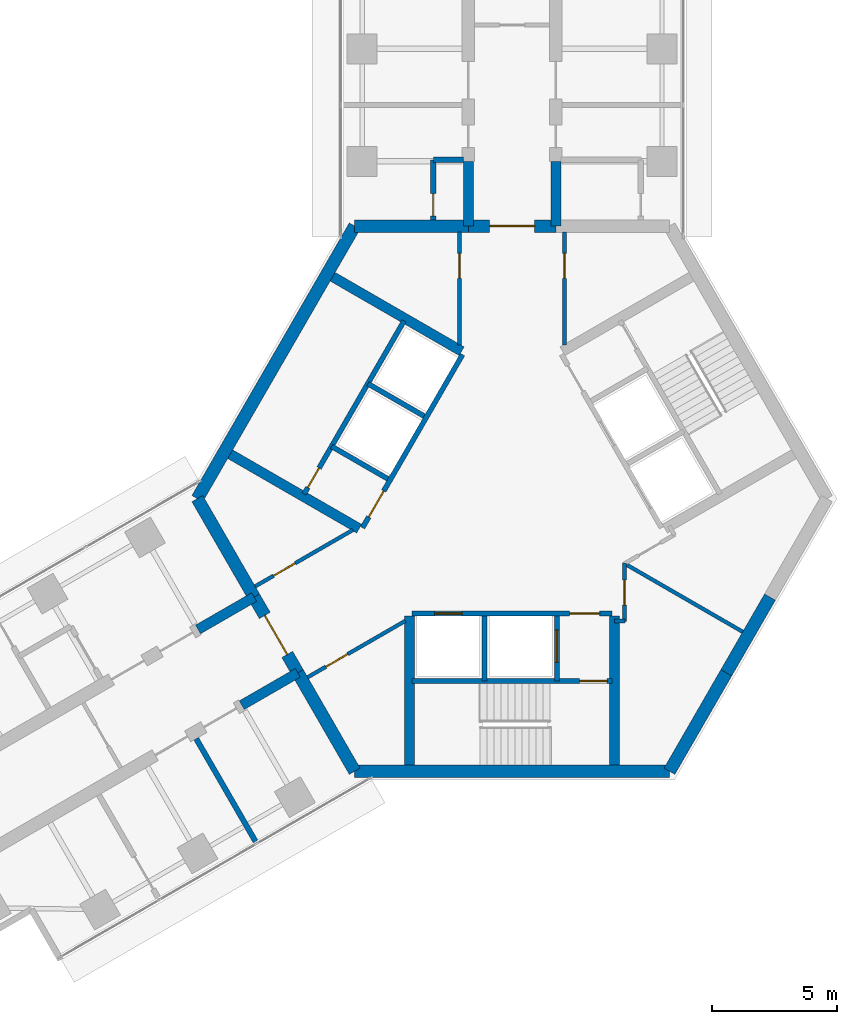
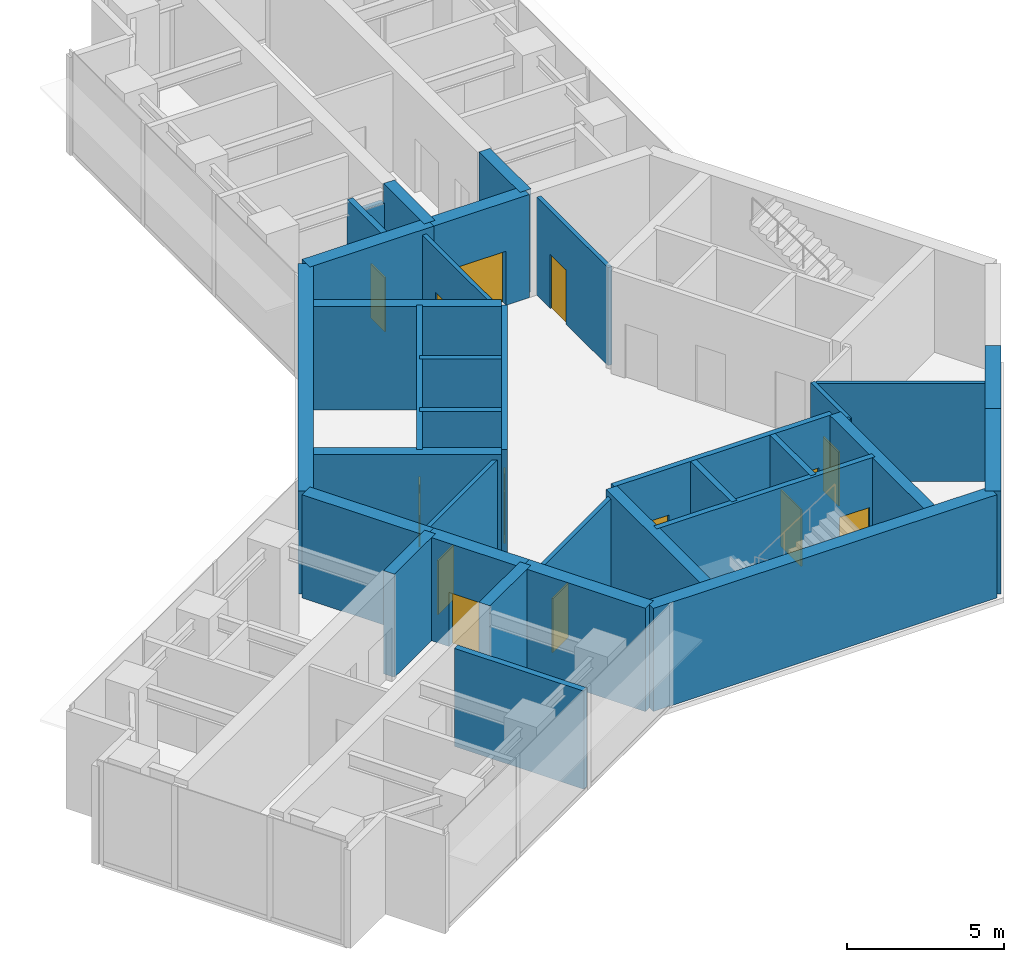
# One storey, part 14 of 17: 35 walls, 14 doors, 14 openings.
"""IFC4 building model written with IfcOpenShell, lengths in metres."""

from ifc_helpers import new_model, si_unit, direction, frame, frame_2d, origin, place, context, subcontext, project, spatial, rectangle, extrude, material, layer, layer_set, type_object, element, fill, save


model = new_model("IFC4")

# Units and contexts
model_context = context("Model", 3, precision=1e-05, world=origin(), true_north=direction((0.0, 1.0)))
body_context = subcontext(model_context, "Body", "Model", "MODEL_VIEW")
ifc_project = project(units=[si_unit("LENGTHUNIT", "METRE"), si_unit("AREAUNIT", "SQUARE_METRE"), si_unit("VOLUMEUNIT", "CUBIC_METRE"), si_unit("PLANEANGLEUNIT", "RADIAN"), si_unit("MASSUNIT", "GRAM", prefix="KILO")], contexts=[model_context])

# Site, building, storey
site_placement = place(None, origin())
site = spatial("IfcSite", under=ifc_project, at=site_placement, CompositionType="ELEMENT")
building_placement = place(site_placement, origin())
building = spatial("IfcBuilding", under=site, at=building_placement, Name="Upepo Twin Towers", CompositionType="ELEMENT")
storey_placement = place(building_placement, frame((0.0, 0.0, 190.5)))
storey = spatial("IfcBuildingStorey", under=building, at=storey_placement, Name="L46", CompositionType="ELEMENT", Elevation=190.5)

# Wall, opening, door
ifc_material_1 = material(Name="Concrete blockwork, plastered both faces", Category="masonry")
ifc_layer_1 = layer(ifc_material_1, 0.215087890625)
ifc_layer_set_1 = layer_set([ifc_layer_1], Name="Blockwork partition 215")
wall_type_1 = type_object("IfcWallType", Name="Blockwork partition 215", PredefinedType="PARTITIONING", material=ifc_layer_set_1)
wall_1_placement = place(storey_placement, frame((55.35009765625, -6.842041015625, 0.0), z_axis=(0.0, 0.0, 1.0), x_axis=(0.0, 1.0, 0.0)))
wall_1 = element("IfcWall", 1, at=wall_1_placement, inside=storey, type_object=wall_type_1, Name="T2 WC bay partition AL at 11.16", PredefinedType="PARTITIONING", context=body_context, shape_type="SweptSolid", body=[
    extrude(rectangle(XDim=2.400146484375, YDim=0.215087890625, at=frame_2d((1.2001953125, 0.0))), origin(), (0.0, 0.0, 1.0), 3.800048828125),
])
opening_1_placement = place(wall_1_placement, frame((0.14990234375, 0.0, 0.0)))
opening_1 = element("IfcOpeningElement", 2, at=opening_1_placement, cuts=wall_1, Name="Opening D14", PredefinedType="OPENING", context=body_context, shape_type="SweptSolid", body=[
    extrude(rectangle(XDim=0.89990234375, YDim=2.10009765625, at=frame_2d((0.449951171875, 1.050048828125))), frame((0.0, 0.117431640625, 0.0), z_axis=(0.0, -1.0, 0.0), x_axis=(1.0, 0.0, 0.0)), (0.0, 0.0, 1.0), 0.235107421875),
])
ifc_material_2 = material(Name="Timber doorset", Category="wood")
door_type_1 = type_object("IfcDoorType", Name="Office door 900 FD30", OperationType="SINGLE_SWING_LEFT", PredefinedType="DOOR", material=ifc_material_2)
door_1_placement = place(opening_1_placement, origin())
door_1 = element("IfcDoor", 3, at=door_1_placement, inside=storey, type_object=door_type_1, Name="T2 L46 WC bay inner room door", OperationType="SINGLE_SWING_LEFT", OverallHeight=2.10009765625, OverallWidth=0.89990234375, PredefinedType="DOOR", context=body_context, shape_type="SweptSolid", body=[
    extrude(rectangle(XDim=0.89990234375, YDim=2.10009765625, at=frame_2d((0.449951171875, 1.050048828125))), frame((0.0, 0.02490234375, 0.0), z_axis=(0.0, -1.0, 0.0), x_axis=(1.0, 0.0, 0.0)), (0.0, 0.0, 1.0), 0.050048828125),
])
fill(opening_1, door_1)

# Walls
wall_2_placement = place(storey_placement, frame((56.550048828125, -4.44189453125, 0.0), z_axis=(0.0, 0.0, 1.0), x_axis=(-1.0, 0.0, 0.0)))
element("IfcWall", 4, at=wall_2_placement, inside=storey, type_object=wall_type_1, Name="T2 WC bay partition AL end at 13.56", PredefinedType="PARTITIONING", context=body_context, shape_type="SweptSolid", body=[
    extrude(rectangle(XDim=1.199951171875, YDim=0.215087890625, at=frame_2d((0.60009765625, 0.0))), origin(), (0.0, 0.0, 1.0), 3.266845703125),
])
wall_3_placement = place(storey_placement, frame((45.860107421875, -27.60693359375, 0.0), z_axis=(0.0, 0.0, 1.0), x_axis=(0.499986429846, -0.866033238375, 0.0)))
element("IfcWall", 5, at=wall_3_placement, inside=storey, type_object=wall_type_1, Name="T2 partition BL at 15.75", PredefinedType="PARTITIONING", context=body_context, shape_type="SweptSolid", body=[
    extrude(rectangle(XDim=4.750244140625, YDim=0.215087890625, at=frame_2d((2.375, 0.0))), origin(), (0.0, 0.0, 1.0), 3.800048828125),
])
ifc_material_3 = material(Name="Concrete C60/75", Category="concrete")
ifc_layer_2 = layer(ifc_material_3, 0.39990234375)
ifc_layer_set_2 = layer_set([ifc_layer_2], Name="Concrete C60/75")
wall_type_2 = type_object("IfcWallType", Name="Buttress wall 400 RC", PredefinedType="SHEAR", material=ifc_layer_set_2)
for number, where, z_axis, x_axis, name in (
    (6, (56.75, -7.091552734375, 0.0), (0.0, 0.0, 1.0), (0.0, 1.0, 0.0), "T2 wing A buttress wall L"),
    (7, (60.25, -7.091552734375, 0.0), (0.0, 0.0, 1.0), (0.0, 1.0, 0.0), "T2 wing A buttress wall R"),
):
    element("IfcWall", number, at=place(storey_placement, frame(where, z_axis=z_axis, x_axis=x_axis)), inside=storey, type_object=wall_type_2, Name=name, PredefinedType="SHEAR", context=body_context, shape_type="SweptSolid", body=[
        extrude(rectangle(XDim=2.591552734375, YDim=0.39990234375, at=frame_2d((1.2958984375, 0.0))), origin(), (0.0, 0.0, 1.0), 4.0),
    ])
for number, where, z_axis, x_axis, name in (
    (8, (49.92822265625, -24.9697265625, 0.0), (0.0, 0.0, 1.0), (-0.866031863473, -0.499988811324, 0.0), "T2 wing B buttress wall L"),
    (9, (48.17822265625, -21.938720703125, 0.0), (0.0, 0.0, 1.0), (-0.866072649678, -0.499918158782, 0.0), "T2 wing B buttress wall R"),
):
    element("IfcWall", number, at=place(storey_placement, frame(where, z_axis=z_axis, x_axis=x_axis)), inside=storey, type_object=wall_type_2, Name=name, PredefinedType="SHEAR", context=body_context, shape_type="SweptSolid", body=[
        extrude(rectangle(XDim=2.591796875, YDim=0.39990234375, at=frame_2d((1.2958984375, 0.0))), origin(), (0.0, 0.0, 1.0), 4.0),
    ])

# Wall, opening, door
ifc_material_4 = material(Name="Concrete C60/75", Category="concrete")
ifc_layer_3 = layer(ifc_material_4, 0.5)
ifc_layer_set_3 = layer_set([ifc_layer_3], Name="Concrete C60/75")
wall_type_3 = type_object("IfcWallType", Name="Core wall 500 RC", PredefinedType="SHEAR", material=ifc_layer_set_3)
wall_4_placement = place(storey_placement, frame((60.25, -7.091552734375, 0.0), z_axis=(0.0, 0.0, 1.0), x_axis=(-1.0, 0.0, 0.0)))
wall_4 = element("IfcWall", 10, at=wall_4_placement, inside=storey, type_object=wall_type_3, Name="T2 core wall 000", PredefinedType="SHEAR", context=body_context, shape_type="SweptSolid", body=[
    extrude(rectangle(XDim=3.5, YDim=0.5, at=frame_2d((1.75, 0.0))), origin(), (0.0, 0.0, 1.0), 4.0),
])
opening_2_placement = place(wall_4_placement, frame((0.85009765625, 0.0, 0.0)))
opening_2 = element("IfcOpeningElement", 11, at=opening_2_placement, cuts=wall_4, Name="Opening D2", PredefinedType="OPENING", context=body_context, shape_type="SweptSolid", body=[
    extrude(rectangle(XDim=1.800048828125, YDim=2.10009765625, at=frame_2d((0.89990234375, 1.050048828125))), frame((0.0, 0.260009765625, 0.0), z_axis=(0.0, -1.0, 0.0), x_axis=(1.0, 0.0, 0.0)), (0.0, 0.0, 1.0), 0.52001953125),
])
ifc_material_5 = material(Name="Timber doorset", Category="wood")
door_type_2 = type_object("IfcDoorType", Name="Corridor double door 1800 FD60", OperationType="DOUBLE_DOOR_DOUBLE_SWING", PredefinedType="DOOR", material=ifc_material_5)
door_2_placement = place(opening_2_placement, origin())
door_2 = element("IfcDoor", 12, at=door_2_placement, inside=storey, type_object=door_type_2, Name="T2 L46 wing A corridor door", OperationType="DOUBLE_DOOR_DOUBLE_SWING", OverallHeight=2.10009765625, OverallWidth=1.800048828125, PredefinedType="DOOR", context=body_context, shape_type="SweptSolid", body=[
    extrude(rectangle(XDim=1.800048828125, YDim=2.10009765625, at=frame_2d((0.89990234375, 1.050048828125))), frame((0.0, 0.02490234375, 0.0), z_axis=(0.0, -1.0, 0.0), x_axis=(1.0, 0.0, 0.0)), (0.0, 0.0, 1.0), 0.050048828125),
])
fill(opening_2, door_2)

# Walls
wall_5_placement = place(storey_placement, frame((56.75, -7.091552734375, 0.0), z_axis=(0.0, 0.0, 1.0), x_axis=(-1.0, 0.0, 0.0)))
element("IfcWall", 13, at=wall_5_placement, inside=storey, type_object=wall_type_3, Name="T2 core wall 000 L", PredefinedType="SHEAR", context=body_context, shape_type="SweptSolid", body=[
    extrude(rectangle(XDim=4.5478515625, YDim=0.5, at=frame_2d((2.27392578125, 0.0))), origin(), (0.0, 0.0, 1.0), 4.0),
])
wall_6_placement = place(storey_placement, frame((52.2021484375, -7.091552734375, 0.0), z_axis=(0.0, 0.0, 1.0), x_axis=(-0.500005998175, -0.866021940709, 0.0)))
element("IfcWall", 14, at=wall_6_placement, inside=storey, type_object=wall_type_3, Name="T2 core wall 060", PredefinedType="SHEAR", context=body_context, shape_type="SweptSolid", body=[
    extrude(rectangle(XDim=12.595947265625, YDim=0.5, at=frame_2d((6.2978515625, 0.0))), origin(), (0.0, 0.0, 1.0), 4.0),
])
wall_7_placement = place(storey_placement, frame((45.904052734375, -18.0, 0.0), z_axis=(0.0, 0.0, 1.0), x_axis=(0.500024481964, -0.866011268655, 0.0)))
element("IfcWall", 15, at=wall_7_placement, inside=storey, type_object=wall_type_3, Name="T2 core wall 120 R", PredefinedType="SHEAR", context=body_context, shape_type="SweptSolid", body=[
    extrude(rectangle(XDim=4.548095703125, YDim=0.5, at=frame_2d((2.27392578125, 0.0))), origin(), (0.0, 0.0, 1.0), 4.0),
])

# Wall, opening, door
wall_8_placement = place(storey_placement, frame((48.17822265625, -21.938720703125, 0.0), z_axis=(0.0, 0.0, 1.0), x_axis=(0.500010275428, -0.866019471182, 0.0)))
wall_8 = element("IfcWall", 16, at=wall_8_placement, inside=storey, type_object=wall_type_3, Name="T2 core wall 120", PredefinedType="SHEAR", context=body_context, shape_type="SweptSolid", body=[
    extrude(rectangle(XDim=3.5, YDim=0.5, at=frame_2d((1.75, 0.0))), origin(), (0.0, 0.0, 1.0), 4.0),
])
opening_3_placement = place(wall_8_placement, frame((0.85009765625, 0.0, 0.0)))
opening_3 = element("IfcOpeningElement", 17, at=opening_3_placement, cuts=wall_8, Name="Opening D2", PredefinedType="OPENING", context=body_context, shape_type="SweptSolid", body=[
    extrude(rectangle(XDim=1.800048828125, YDim=2.10009765625, at=frame_2d((0.89990234375, 1.050048828125))), frame((0.0, 0.260009765625, 0.0), z_axis=(0.0, -1.0, 0.0), x_axis=(1.0, 0.0, 0.0)), (0.0, 0.0, 1.0), 0.52001953125),
])
door_3_placement = place(opening_3_placement, origin())
door_3 = element("IfcDoor", 18, at=door_3_placement, inside=storey, type_object=door_type_2, Name="T2 L46 wing B corridor door", OperationType="DOUBLE_DOOR_DOUBLE_SWING", OverallHeight=2.10009765625, OverallWidth=1.800048828125, PredefinedType="DOOR", context=body_context, shape_type="SweptSolid", body=[
    extrude(rectangle(XDim=1.800048828125, YDim=2.10009765625, at=frame_2d((0.89990234375, 1.050048828125))), frame((0.0, 0.02490234375, 0.0), z_axis=(0.0, -1.0, 0.0), x_axis=(1.0, 0.0, 0.0)), (0.0, 0.0, 1.0), 0.050048828125),
])
fill(opening_3, door_3)

# Walls
wall_9_placement = place(storey_placement, frame((49.92822265625, -24.9697265625, 0.0), z_axis=(0.0, 0.0, 1.0), x_axis=(0.499984222037, -0.866034513004, 0.0)))
element("IfcWall", 19, at=wall_9_placement, inside=storey, type_object=wall_type_3, Name="T2 core wall 120 L", PredefinedType="SHEAR", context=body_context, shape_type="SweptSolid", body=[
    extrude(rectangle(XDim=4.548095703125, YDim=0.5, at=frame_2d((2.27392578125, 0.0))), origin(), (0.0, 0.0, 1.0), 4.0),
])
wall_10_placement = place(storey_placement, frame((52.2021484375, -28.908447265625, 0.0), z_axis=(0.0, 0.0, 1.0), x_axis=(1.0, 0.0, 0.0)))
element("IfcWall", 20, at=wall_10_placement, inside=storey, type_object=wall_type_3, Name="T2 core wall 180", PredefinedType="SHEAR", context=body_context, shape_type="SweptSolid", body=[
    extrude(rectangle(XDim=12.595703125, YDim=0.5, at=frame_2d((6.2978515625, 0.0))), origin(), (0.0, 0.0, 1.0), 4.0),
])
wall_11_placement = place(storey_placement, frame((64.7978515625, -28.908447265625, 0.0), z_axis=(0.0, 0.0, 1.0), x_axis=(0.499984222037, 0.866034513004, 0.0)))
element("IfcWall", 21, at=wall_11_placement, inside=storey, type_object=wall_type_3, Name="T2 core wall 240 R", PredefinedType="SHEAR", context=body_context, shape_type="SweptSolid", body=[
    extrude(rectangle(XDim=4.548095703125, YDim=0.5, at=frame_2d((2.27392578125, 0.0))), origin(), (0.0, 0.0, 1.0), 4.0),
])
wall_12_placement = place(storey_placement, frame((67.07177734375, -24.9697265625, 0.0), z_axis=(0.0, 0.0, 1.0), x_axis=(0.500010275428, 0.866019471182, 0.0)))
element("IfcWall", 22, at=wall_12_placement, inside=storey, type_object=wall_type_3, Name="T2 core wall 240", PredefinedType="SHEAR", context=body_context, shape_type="SweptSolid", body=[
    extrude(rectangle(XDim=3.5, YDim=0.5, at=frame_2d((1.75, 0.0))), origin(), (0.0, 0.0, 1.0), 4.0),
])

# Wall, opening, door
ifc_material_6 = material(Name="Concrete C40/50", Category="concrete")
ifc_layer_4 = layer(ifc_material_6, 0.199951171875)
ifc_layer_set_4 = layer_set([ifc_layer_4], Name="Concrete C40/50")
wall_type_4 = type_object("IfcWallType", Name="Shaft wall 200 RC", PredefinedType="SHEAR", material=ifc_layer_set_4)
wall_13_placement = place(storey_placement, frame((56.516357421875, -12.23583984375, 0.0), z_axis=(0.0, 0.0, 1.0), x_axis=(-0.49999894854, -0.866026010844, 0.0)))
wall_13 = element("IfcWall", 23, at=wall_13_placement, inside=storey, type_object=wall_type_4, Name="T2 core W60 front wall", PredefinedType="SHEAR", context=body_context, shape_type="SweptSolid", body=[
    extrude(rectangle(XDim=8.0, YDim=0.199951171875, at=frame_2d((4.0, 0.0))), origin(), (0.0, 0.0, 1.0), 4.0),
])
opening_4_placement = place(wall_13_placement, frame((6.300048828125, 0.0, 0.0)))
opening_4 = element("IfcOpeningElement", 24, at=opening_4_placement, cuts=wall_13, Name="Opening D4", PredefinedType="OPENING", context=body_context, shape_type="SweptSolid", body=[
    extrude(rectangle(XDim=1.199951171875, YDim=2.10009765625, at=frame_2d((0.60009765625, 1.050048828125))), frame((0.0, 0.10986328125, 0.0), z_axis=(0.0, -1.0, 0.0), x_axis=(1.0, 0.0, 0.0)), (0.0, 0.0, 1.0), 0.219970703125),
])
ifc_material_7 = material(Name="Timber doorset", Category="wood")
door_type_3 = type_object("IfcDoorType", Name="Lobby door 1200 FD60", OperationType="SINGLE_SWING_LEFT", PredefinedType="DOOR", material=ifc_material_7)
door_4_placement = place(opening_4_placement, origin())
door_4 = element("IfcDoor", 25, at=door_4_placement, inside=storey, type_object=door_type_3, Name="T2 L46 W60 lobby door", OperationType="SINGLE_SWING_RIGHT", OverallHeight=2.10009765625, OverallWidth=1.199951171875, PredefinedType="DOOR", context=body_context, shape_type="SweptSolid", body=[
    extrude(rectangle(XDim=1.199951171875, YDim=2.10009765625, at=frame_2d((0.60009765625, 1.050048828125))), frame((0.0, 0.02490234375, 0.0), z_axis=(0.0, -1.0, 0.0), x_axis=(1.0, 0.0, 0.0)), (0.0, 0.0, 1.0), 0.050048828125),
])
fill(opening_4, door_4)

# Walls
for number, where, z_axis, x_axis, name in (
    (26, (54.979736328125, -14.697265625, 0.0), (0.0, 0.0, 1.0), (-0.866062058628, 0.499936506574, 0.0), "T2 core W60 shaft divider"),
    (27, (53.52978515625, -17.208740234375, 0.0), (0.0, 0.0, 1.0), (-0.866062058628, 0.499936506574, 0.0), "T2 core W60 lobby wall"),
):
    element("IfcWall", number, at=place(storey_placement, frame(where, z_axis=z_axis, x_axis=x_axis)), inside=storey, type_object=wall_type_4, Name=name, PredefinedType="SHEAR", context=body_context, shape_type="SweptSolid", body=[
        extrude(rectangle(XDim=2.599853515625, YDim=0.199951171875, at=frame_2d((1.2998046875, 0.0))), origin(), (0.0, 0.0, 1.0), 4.0),
    ])

# Wall, opening, door
wall_14_placement = place(storey_placement, frame((54.177978515625, -10.885986328125, 0.0), z_axis=(0.0, 0.0, 1.0), x_axis=(-0.49999894854, -0.866026010844, 0.0)))
wall_14 = element("IfcWall", 28, at=wall_14_placement, inside=storey, type_object=wall_type_4, Name="T2 core W60 stair wall", PredefinedType="SHEAR", context=body_context, shape_type="SweptSolid", body=[
    extrude(rectangle(XDim=8.0, YDim=0.199951171875, at=frame_2d((4.0, 0.0))), origin(), (0.0, 0.0, 1.0), 4.0),
])
opening_5_placement = place(wall_14_placement, frame((6.800048828125, 0.0, 0.0)))
opening_5 = element("IfcOpeningElement", 29, at=opening_5_placement, cuts=wall_14, Name="Opening D9", PredefinedType="OPENING", context=body_context, shape_type="SweptSolid", body=[
    extrude(rectangle(XDim=0.89990234375, YDim=2.10009765625, at=frame_2d((0.449951171875, 1.050048828125))), frame((0.0, 0.10986328125, 0.0), z_axis=(0.0, -1.0, 0.0), x_axis=(1.0, 0.0, 0.0)), (0.0, 0.0, 1.0), 0.219970703125),
])
ifc_material_8 = material(Name="Timber doorset", Category="wood")
door_type_4 = type_object("IfcDoorType", Name="Riser door 900 FD60", OperationType="SINGLE_SWING_LEFT", PredefinedType="DOOR", material=ifc_material_8)
door_5_placement = place(opening_5_placement, origin())
door_5 = element("IfcDoor", 30, at=door_5_placement, inside=storey, type_object=door_type_4, Name="T2 L46 riser door", OperationType="SINGLE_SWING_RIGHT", OverallHeight=2.10009765625, OverallWidth=0.89990234375, PredefinedType="DOOR", context=body_context, shape_type="SweptSolid", body=[
    extrude(rectangle(XDim=0.89990234375, YDim=2.10009765625, at=frame_2d((0.449951171875, 1.050048828125))), frame((0.0, 0.02490234375, 0.0), z_axis=(0.0, -1.0, 0.0), x_axis=(1.0, 0.0, 0.0)), (0.0, 0.0, 1.0), 0.050048828125),
])
fill(opening_5, door_5)

# Wall, openings, doors
wall_15_placement = place(storey_placement, frame((54.5, -22.60009765625, 0.0), z_axis=(0.0, 0.0, 1.0), x_axis=(1.0, 0.0, 0.0)))
wall_15 = element("IfcWall", 31, at=wall_15_placement, inside=storey, type_object=wall_type_4, Name="T2 core W180 front wall", PredefinedType="SHEAR", context=body_context, shape_type="SweptSolid", body=[
    extrude(rectangle(XDim=8.0, YDim=0.199951171875, at=frame_2d((4.0, 0.0))), origin(), (0.0, 0.0, 1.0), 4.0),
])
opening_6_placement = place(wall_15_placement, frame((6.300048828125, 0.0, 0.0)))
opening_6 = element("IfcOpeningElement", 32, at=opening_6_placement, cuts=wall_15, Name="Opening D4", PredefinedType="OPENING", context=body_context, shape_type="SweptSolid", body=[
    extrude(rectangle(XDim=1.199951171875, YDim=2.10009765625, at=frame_2d((0.60009765625, 1.050048828125))), frame((0.0, 0.10986328125, 0.0), z_axis=(0.0, -1.0, 0.0), x_axis=(1.0, 0.0, 0.0)), (0.0, 0.0, 1.0), 0.219970703125),
])
opening_7_placement = place(wall_15_placement, frame((0.89990234375, 0.0, 0.0)))
opening_7 = element("IfcOpeningElement", 33, at=opening_7_placement, cuts=wall_15, Name="Opening LD1", PredefinedType="OPENING", context=body_context, shape_type="SweptSolid", body=[
    extrude(rectangle(XDim=1.10009765625, YDim=2.199951171875, at=frame_2d((0.550048828125, 1.10009765625))), frame((0.0, 0.10986328125, 0.0), z_axis=(0.0, -1.0, 0.0), x_axis=(1.0, 0.0, 0.0)), (0.0, 0.0, 1.0), 0.219970703125),
])
ifc_material_9 = material(Name="Steel doorset", Category="steel")
door_type_5 = type_object("IfcDoorType", Name="Lift landing door 1100", OperationType="DOUBLE_DOOR_SLIDING", PredefinedType="DOOR", material=ifc_material_9)
door_6_placement = place(opening_7_placement, origin())
door_6 = element("IfcDoor", 34, at=door_6_placement, inside=storey, type_object=door_type_5, Name="T2 L46 lift SV1 landing door", OperationType="DOUBLE_DOOR_SLIDING", OverallHeight=2.199951171875, OverallWidth=1.10009765625, PredefinedType="DOOR", context=body_context, shape_type="SweptSolid", body=[
    extrude(rectangle(XDim=1.10009765625, YDim=2.199951171875, at=frame_2d((0.550048828125, 1.10009765625))), frame((0.0, 0.02490234375, 0.0), z_axis=(0.0, -1.0, 0.0), x_axis=(1.0, 0.0, 0.0)), (0.0, 0.0, 1.0), 0.050048828125),
])
fill(opening_7, door_6)
door_7_placement = place(opening_6_placement, origin())
door_7 = element("IfcDoor", 35, at=door_7_placement, inside=storey, type_object=door_type_3, Name="T2 L46 W180 lobby door", OperationType="SINGLE_SWING_RIGHT", OverallHeight=2.10009765625, OverallWidth=1.199951171875, PredefinedType="DOOR", context=body_context, shape_type="SweptSolid", body=[
    extrude(rectangle(XDim=1.199951171875, YDim=2.10009765625, at=frame_2d((0.60009765625, 1.050048828125))), frame((0.0, 0.02490234375, 0.0), z_axis=(0.0, -1.0, 0.0), x_axis=(1.0, 0.0, 0.0)), (0.0, 0.0, 1.0), 0.050048828125),
])
fill(opening_6, door_7)

# Wall
wall_16_placement = place(storey_placement, frame((57.39990234375, -22.699951171875, 0.0), z_axis=(0.0, 0.0, 1.0), x_axis=(0.0, -1.0, 0.0)))
element("IfcWall", 36, at=wall_16_placement, inside=storey, type_object=wall_type_4, Name="T2 core W180 shaft divider", PredefinedType="SHEAR", context=body_context, shape_type="SweptSolid", body=[
    extrude(rectangle(XDim=2.60009765625, YDim=0.199951171875, at=frame_2d((1.300048828125, 0.0))), origin(), (0.0, 0.0, 1.0), 4.0),
])

# Wall, opening, door
wall_17_placement = place(storey_placement, frame((60.300048828125, -22.699951171875, 0.0), z_axis=(0.0, 0.0, 1.0), x_axis=(0.0, -1.0, 0.0)))
wall_17 = element("IfcWall", 37, at=wall_17_placement, inside=storey, type_object=wall_type_4, Name="T2 core W180 lobby wall", PredefinedType="SHEAR", context=body_context, shape_type="SweptSolid", body=[
    extrude(rectangle(XDim=2.60009765625, YDim=0.199951171875, at=frame_2d((1.300048828125, 0.0))), origin(), (0.0, 0.0, 1.0), 4.0),
])
opening_8_placement = place(wall_17_placement, frame((0.550048828125, 0.0, 0.0)))
opening_8 = element("IfcOpeningElement", 38, at=opening_8_placement, cuts=wall_17, Name="Opening LD2", PredefinedType="OPENING", context=body_context, shape_type="SweptSolid", body=[
    extrude(rectangle(XDim=1.300048828125, YDim=2.199951171875, at=frame_2d((0.64990234375, 1.10009765625))), frame((0.0, 0.10986328125, 0.0), z_axis=(0.0, -1.0, 0.0), x_axis=(1.0, 0.0, 0.0)), (0.0, 0.0, 1.0), 0.219970703125),
])
ifc_material_10 = material(Name="Steel doorset", Category="steel")
door_type_6 = type_object("IfcDoorType", Name="Firefighting lift landing door 1300", OperationType="DOUBLE_DOOR_SLIDING", PredefinedType="DOOR", material=ifc_material_10)
door_8_placement = place(opening_8_placement, origin())
door_8 = element("IfcDoor", 39, at=door_8_placement, inside=storey, type_object=door_type_6, Name="T2 L46 firefighting lift landing door", OperationType="DOUBLE_DOOR_SLIDING", OverallHeight=2.199951171875, OverallWidth=1.300048828125, PredefinedType="DOOR", context=body_context, shape_type="SweptSolid", body=[
    extrude(rectangle(XDim=1.300048828125, YDim=2.199951171875, at=frame_2d((0.64990234375, 1.10009765625))), frame((0.0, 0.02490234375, 0.0), z_axis=(0.0, -1.0, 0.0), x_axis=(1.0, 0.0, 0.0)), (0.0, 0.0, 1.0), 0.050048828125),
])
fill(opening_8, door_8)

wall_18_placement = place(storey_placement, frame((54.5, -25.300048828125, 0.0), z_axis=(0.0, 0.0, 1.0), x_axis=(1.0, 0.0, 0.0)))
wall_18 = element("IfcWall", 40, at=wall_18_placement, inside=storey, type_object=wall_type_4, Name="T2 core W180 stair wall", PredefinedType="SHEAR", context=body_context, shape_type="SweptSolid", body=[
    extrude(rectangle(XDim=8.0, YDim=0.199951171875, at=frame_2d((4.0, 0.0))), origin(), (0.0, 0.0, 1.0), 4.0),
])
opening_9_placement = place(wall_18_placement, frame((6.699951171875, 0.0, 0.0)))
opening_9 = element("IfcOpeningElement", 41, at=opening_9_placement, cuts=wall_18, Name="Opening D3", PredefinedType="OPENING", context=body_context, shape_type="SweptSolid", body=[
    extrude(rectangle(XDim=1.10009765625, YDim=2.10009765625, at=frame_2d((0.550048828125, 1.050048828125))), frame((0.0, 0.10986328125, 0.0), z_axis=(0.0, -1.0, 0.0), x_axis=(1.0, 0.0, 0.0)), (0.0, 0.0, 1.0), 0.219970703125),
])
ifc_material_11 = material(Name="Timber doorset", Category="wood")
door_type_7 = type_object("IfcDoorType", Name="Stair door 1100 FD60", OperationType="SINGLE_SWING_LEFT", PredefinedType="DOOR", material=ifc_material_11)
door_9_placement = place(opening_9_placement, origin())
door_9 = element("IfcDoor", 42, at=door_9_placement, inside=storey, type_object=door_type_7, Name="T2 L46 stair door", OperationType="SINGLE_SWING_RIGHT", OverallHeight=2.10009765625, OverallWidth=1.10009765625, PredefinedType="DOOR", context=body_context, shape_type="SweptSolid", body=[
    extrude(rectangle(XDim=1.10009765625, YDim=2.10009765625, at=frame_2d((0.550048828125, 1.050048828125))), frame((0.0, 0.02490234375, 0.0), z_axis=(0.0, -1.0, 0.0), x_axis=(1.0, 0.0, 0.0)), (0.0, 0.0, 1.0), 0.050048828125),
])
fill(opening_9, door_9)

# Walls
ifc_material_12 = material(Name="Concrete C40/50", Category="concrete")
ifc_layer_5 = layer(ifc_material_12, 0.39990234375)
ifc_layer_set_5 = layer_set([ifc_layer_5], Name="Concrete C40/50")
wall_type_5 = type_object("IfcWallType", Name="Shaft wall 400 RC", PredefinedType="SHEAR", material=ifc_layer_set_5)
wall_19_placement = place(storey_placement, frame((52.379638671875, -19.20068359375, 0.0), z_axis=(0.0, 0.0, 1.0), x_axis=(-0.866012946976, 0.500021575205, 0.0)))
element("IfcWall", 43, at=wall_19_placement, inside=storey, type_object=wall_type_5, Name="T2 core W60 side wall N", PredefinedType="SHEAR", context=body_context, shape_type="SweptSolid", body=[
    extrude(rectangle(XDim=5.958251953125, YDim=0.39990234375, at=frame_2d((2.97900390625, 0.0))), origin(), (0.0, 0.0, 1.0), 4.0),
])
for number, where, z_axis, x_axis, name in (
    (44, (56.479736328125, -12.099365234375, 0.0), (0.0, 0.0, 1.0), (-0.86602319114, 0.500003832394, 0.0), "T2 core W60 side wall S"),
    (45, (62.60009765625, -22.699951171875, 0.0), (0.0, 0.0, 1.0), (0.0, -1.0, 0.0), "T2 core W180 side wall N"),
    (46, (54.39990234375, -22.699951171875, 0.0), (0.0, 0.0, 1.0), (0.0, -1.0, 0.0), "T2 core W180 side wall S"),
):
    element("IfcWall", number, at=place(storey_placement, frame(where, z_axis=z_axis, x_axis=x_axis)), inside=storey, type_object=wall_type_5, Name=name, PredefinedType="SHEAR", context=body_context, shape_type="SweptSolid", body=[
        extrude(rectangle(XDim=5.95849609375, YDim=0.39990234375, at=frame_2d((2.979248046875, 0.0))), origin(), (0.0, 0.0, 1.0), 4.0),
    ])
ifc_material_13 = material(Name="Gypsum board on steel studs", Category="steel")
ifc_layer_6 = layer(ifc_material_13, 0.14990234375)
ifc_layer_set_6 = layer_set([ifc_layer_6], Name="Teaching partition 150 acoustic")
wall_type_6 = type_object("IfcWallType", Name="Teaching partition 150 acoustic", PredefinedType="PARTITIONING", material=ifc_layer_set_6)
wall_20_placement = place(storey_placement, frame((63.02001953125, -22.89990234375, 0.0), z_axis=(0.0, 0.0, 1.0), x_axis=(-1.0, 0.0, 0.0)))
element("IfcWall", 47, at=wall_20_placement, inside=storey, type_object=wall_type_6, Name="T2 core room partition 1", PredefinedType="PARTITIONING", context=body_context, shape_type="SweptSolid", body=[
    extrude(rectangle(XDim=0.429931640625, YDim=0.14990234375, at=frame_2d((0.21484375, 0.0))), origin(), (0.0, 0.0, 1.0), 3.800048828125),
])

# Wall, opening, door
wall_21_placement = place(storey_placement, frame((54.230224609375, -22.889892578125, 0.0), z_axis=(0.0, 0.0, 1.0), x_axis=(-0.866006805923, -0.500032211057, 0.0)))
wall_21 = element("IfcWall", 48, at=wall_21_placement, inside=storey, type_object=wall_type_6, Name="T2 core room partition 2", PredefinedType="PARTITIONING", context=body_context, shape_type="SweptSolid", body=[
    extrude(rectangle(XDim=4.525634765625, YDim=0.14990234375, at=frame_2d((2.2626953125, 0.0))), origin(), (0.0, 0.0, 1.0), 3.800048828125),
])
opening_10_placement = place(wall_21_placement, frame((2.66796875, 0.0, 0.0)))
opening_10 = element("IfcOpeningElement", 49, at=opening_10_placement, cuts=wall_21, Name="Opening D1", PredefinedType="OPENING", context=body_context, shape_type="SweptSolid", body=[
    extrude(rectangle(XDim=1.0, YDim=2.10009765625, at=frame_2d((0.5, 1.050048828125))), frame((0.0, 0.0849609375, 0.0), z_axis=(0.0, -1.0, 0.0), x_axis=(1.0, 0.0, 0.0)), (0.0, 0.0, 1.0), 0.169921875),
])
ifc_material_14 = material(Name="Timber doorset", Category="wood")
door_type_8 = type_object("IfcDoorType", Name="Room door 1000 FD30", OperationType="SINGLE_SWING_LEFT", PredefinedType="DOOR", material=ifc_material_14)
door_10_placement = place(opening_10_placement, origin())
door_10 = element("IfcDoor", 50, at=door_10_placement, inside=storey, type_object=door_type_8, Name="T2 L46 core room door K2", OperationType="SINGLE_SWING_RIGHT", OverallHeight=2.10009765625, OverallWidth=1.0, PredefinedType="DOOR", context=body_context, shape_type="SweptSolid", body=[
    extrude(rectangle(XDim=1.0, YDim=2.10009765625, at=frame_2d((0.5, 1.050048828125))), frame((0.0, 0.02490234375, 0.0), z_axis=(0.0, -1.0, 0.0), x_axis=(1.0, 0.0, 0.0)), (0.0, 0.0, 1.0), 0.050048828125),
])
fill(opening_10, door_10)

wall_22_placement = place(storey_placement, frame((48.2109375, -21.515380859375, 0.0), z_axis=(0.0, 0.0, 1.0), x_axis=(0.866043651885, 0.499968392031, 0.0)))
wall_22 = element("IfcWall", 51, at=wall_22_placement, inside=storey, type_object=wall_type_6, Name="T2 core room partition 3", PredefinedType="PARTITIONING", context=body_context, shape_type="SweptSolid", body=[
    extrude(rectangle(XDim=4.525634765625, YDim=0.14990234375, at=frame_2d((2.2626953125, 0.0))), origin(), (0.0, 0.0, 1.0), 3.800048828125),
])
opening_11_placement = place(wall_22_placement, frame((0.857666015625, 0.0, 0.0)))
opening_11 = element("IfcOpeningElement", 52, at=opening_11_placement, cuts=wall_22, Name="Opening D1", PredefinedType="OPENING", context=body_context, shape_type="SweptSolid", body=[
    extrude(rectangle(XDim=1.0, YDim=2.10009765625, at=frame_2d((0.5, 1.050048828125))), frame((0.0, 0.0849609375, 0.0), z_axis=(0.0, -1.0, 0.0), x_axis=(1.0, 0.0, 0.0)), (0.0, 0.0, 1.0), 0.169921875),
])
door_11_placement = place(opening_11_placement, origin())
door_11 = element("IfcDoor", 53, at=door_11_placement, inside=storey, type_object=door_type_8, Name="T2 L46 core room door K1", OperationType="SINGLE_SWING_LEFT", OverallHeight=2.10009765625, OverallWidth=1.0, PredefinedType="DOOR", context=body_context, shape_type="SweptSolid", body=[
    extrude(rectangle(XDim=1.0, YDim=2.10009765625, at=frame_2d((0.5, 1.050048828125))), frame((0.0, 0.02490234375, 0.0), z_axis=(0.0, -1.0, 0.0), x_axis=(1.0, 0.0, 0.0)), (0.0, 0.0, 1.0), 0.050048828125),
])
fill(opening_11, door_11)

wall_23_placement = place(storey_placement, frame((56.39990234375, -11.857421875, 0.0), z_axis=(0.0, 0.0, 1.0), x_axis=(0.0, 1.0, 0.0)))
wall_23 = element("IfcWall", 54, at=wall_23_placement, inside=storey, type_object=wall_type_6, Name="T2 core room partition 4", PredefinedType="PARTITIONING", context=body_context, shape_type="SweptSolid", body=[
    extrude(rectangle(XDim=4.525634765625, YDim=0.14990234375, at=frame_2d((2.2626953125, 0.0))), origin(), (0.0, 0.0, 1.0), 3.800048828125),
])
opening_12_placement = place(wall_23_placement, frame((2.66796875, 0.0, 0.0)))
opening_12 = element("IfcOpeningElement", 55, at=opening_12_placement, cuts=wall_23, Name="Opening D1", PredefinedType="OPENING", context=body_context, shape_type="SweptSolid", body=[
    extrude(rectangle(XDim=1.0, YDim=2.10009765625, at=frame_2d((0.5, 1.050048828125))), frame((0.0, 0.0849609375, 0.0), z_axis=(0.0, -1.0, 0.0), x_axis=(1.0, 0.0, 0.0)), (0.0, 0.0, 1.0), 0.169921875),
])
door_12_placement = place(opening_12_placement, origin())
door_12 = element("IfcDoor", 56, at=door_12_placement, inside=storey, type_object=door_type_8, Name="T2 L46 core room door K6", OperationType="SINGLE_SWING_RIGHT", OverallHeight=2.10009765625, OverallWidth=1.0, PredefinedType="DOOR", context=body_context, shape_type="SweptSolid", body=[
    extrude(rectangle(XDim=1.0, YDim=2.10009765625, at=frame_2d((0.5, 1.050048828125))), frame((0.0, 0.02490234375, 0.0), z_axis=(0.0, -1.0, 0.0), x_axis=(1.0, 0.0, 0.0)), (0.0, 0.0, 1.0), 0.050048828125),
])
fill(opening_12, door_12)

wall_24_placement = place(storey_placement, frame((60.60009765625, -7.331787109375, 0.0), z_axis=(0.0, 0.0, 1.0), x_axis=(0.0, -1.0, 0.0)))
wall_24 = element("IfcWall", 57, at=wall_24_placement, inside=storey, type_object=wall_type_6, Name="T2 core room partition 5", PredefinedType="PARTITIONING", context=body_context, shape_type="SweptSolid", body=[
    extrude(rectangle(XDim=4.525634765625, YDim=0.14990234375, at=frame_2d((2.2626953125, 0.0))), origin(), (0.0, 0.0, 1.0), 3.800048828125),
])
opening_13_placement = place(wall_24_placement, frame((0.857666015625, 0.0, 0.0)))
opening_13 = element("IfcOpeningElement", 58, at=opening_13_placement, cuts=wall_24, Name="Opening D1", PredefinedType="OPENING", context=body_context, shape_type="SweptSolid", body=[
    extrude(rectangle(XDim=1.0, YDim=2.10009765625, at=frame_2d((0.5, 1.050048828125))), frame((0.0, 0.0849609375, 0.0), z_axis=(0.0, -1.0, 0.0), x_axis=(1.0, 0.0, 0.0)), (0.0, 0.0, 1.0), 0.169921875),
])
door_13_placement = place(opening_13_placement, origin())
door_13 = element("IfcDoor", 59, at=door_13_placement, inside=storey, type_object=door_type_8, Name="T2 L46 core room door K5", OperationType="SINGLE_SWING_LEFT", OverallHeight=2.10009765625, OverallWidth=1.0, PredefinedType="DOOR", context=body_context, shape_type="SweptSolid", body=[
    extrude(rectangle(XDim=1.0, YDim=2.10009765625, at=frame_2d((0.5, 1.050048828125))), frame((0.0, 0.02490234375, 0.0), z_axis=(0.0, -1.0, 0.0), x_axis=(1.0, 0.0, 0.0)), (0.0, 0.0, 1.0), 0.050048828125),
])
fill(opening_13, door_13)

wall_25_placement = place(storey_placement, frame((63.0, -20.578125, 0.0), z_axis=(0.0, 0.0, 1.0), x_axis=(0.0, -1.0, 0.0)))
wall_25 = element("IfcWall", 60, at=wall_25_placement, inside=storey, type_object=wall_type_6, Name="T2 core room partition 8", PredefinedType="PARTITIONING", context=body_context, shape_type="SweptSolid", body=[
    extrude(rectangle(XDim=2.341796875, YDim=0.14990234375, at=frame_2d((1.1708984375, 0.0))), origin(), (0.0, 0.0, 1.0), 3.800048828125),
])
opening_14_placement = place(wall_25_placement, frame((0.68115234375, 0.0, 0.0)))
opening_14 = element("IfcOpeningElement", 61, at=opening_14_placement, cuts=wall_25, Name="Opening D1", PredefinedType="OPENING", context=body_context, shape_type="SweptSolid", body=[
    extrude(rectangle(XDim=1.0, YDim=2.10009765625, at=frame_2d((0.5, 1.050048828125))), frame((0.0, 0.0849609375, 0.0), z_axis=(0.0, -1.0, 0.0), x_axis=(1.0, 0.0, 0.0)), (0.0, 0.0, 1.0), 0.169921875),
])
door_14_placement = place(opening_14_placement, origin())
door_14 = element("IfcDoor", 62, at=door_14_placement, inside=storey, type_object=door_type_8, Name="T2 L46 core room door K3", OperationType="SINGLE_SWING_RIGHT", OverallHeight=2.10009765625, OverallWidth=1.0, PredefinedType="DOOR", context=body_context, shape_type="SweptSolid", body=[
    extrude(rectangle(XDim=1.0, YDim=2.10009765625, at=frame_2d((0.5, 1.050048828125))), frame((0.0, 0.02490234375, 0.0), z_axis=(0.0, -1.0, 0.0), x_axis=(1.0, 0.0, 0.0)), (0.0, 0.0, 1.0), 0.050048828125),
])
fill(opening_14, door_14)

# Wall
wall_26_placement = place(storey_placement, frame((63.074951171875, -20.641357421875, 0.0), z_axis=(0.0, 0.0, 1.0), x_axis=(0.866035084688, -0.499983231807, 0.0)))
element("IfcWall", 63, at=wall_26_placement, inside=storey, type_object=wall_type_6, Name="T2 core room partition 9", PredefinedType="PARTITIONING", context=body_context, shape_type="SweptSolid", body=[
    extrude(rectangle(XDim=5.375732421875, YDim=0.14990234375, at=frame_2d((2.68798828125, 0.0))), origin(), (0.0, 0.0, 1.0), 3.800048828125),
])

save(model, "model.ifc")
